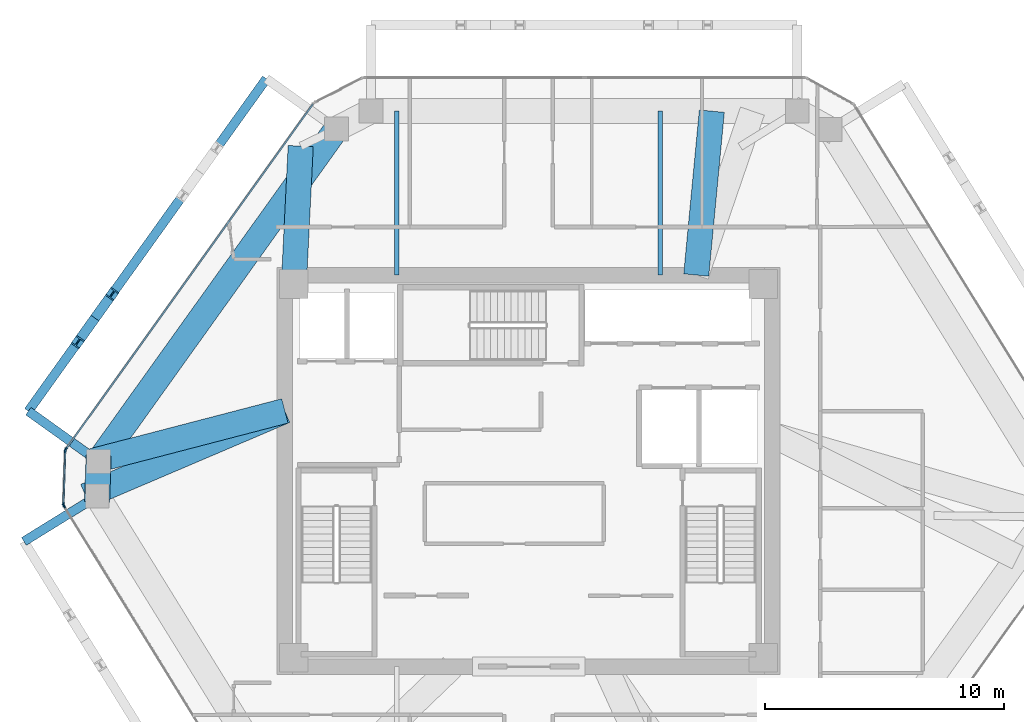
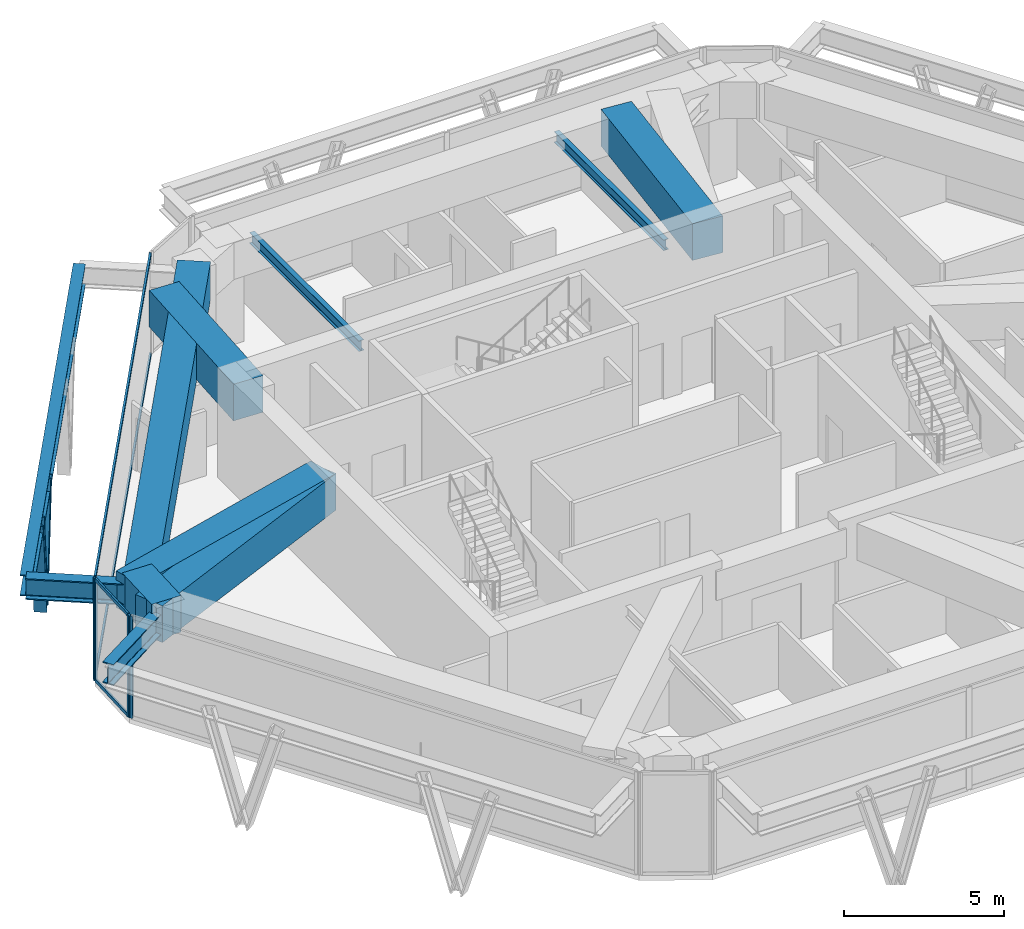
# One storey, part 4 of 11: 11 beams, 10 members, 3 elements without a shape of their own.
"""IFC4 building model written with IfcOpenShell, lengths in metres."""

from ifc_helpers import new_model, si_unit, direction, frame, origin, origin_2d, place, context, subcontext, project, spatial, rectangle, i_section, extrude, source, transform, mapped, material, layer, layer_set, material_profile, profile_set, type_object, type_shapes, element, aggregate, save


model = new_model("IFC4")

# Units and contexts
model_context = context("Model", 3, precision=1e-05, world=origin(), true_north=direction((0.0, 1.0)))
body_context = subcontext(model_context, "Body", "Model", "MODEL_VIEW")
ifc_project = project(units=[si_unit("LENGTHUNIT", "METRE"), si_unit("AREAUNIT", "SQUARE_METRE"), si_unit("VOLUMEUNIT", "CUBIC_METRE"), si_unit("PLANEANGLEUNIT", "RADIAN"), si_unit("MASSUNIT", "GRAM", prefix="KILO")], contexts=[model_context])

# Site, building, storey
site_placement = place(None, origin())
site = spatial("IfcSite", under=ifc_project, at=site_placement, CompositionType="ELEMENT")
building_placement = place(site_placement, origin())
building = spatial("IfcBuilding", under=site, at=building_placement, Name="Durnholm Broadcast Tower", CompositionType="ELEMENT")
storey_placement = place(building_placement, frame((0.0, 0.0, 209.199951171875)))
storey = spatial("IfcBuildingStorey", under=building, at=storey_placement, Name="L58", CompositionType="ELEMENT", Elevation=209.199951171875)

# Beams
ifc_material_1 = material(Name="Steel ASTM A992 Grade 50", Category="steel")
ifc_material_profile_1 = material_profile(ifc_material_1, i_section(OverallWidth=0.385009765625, OverallDepth=0.802978515625, WebThickness=0.023681640625, FlangeThickness=0.0419921875, FilletRadius=0.032958984375, at=origin_2d()), Name="W30X261")
ifc_profile_set_1 = profile_set([ifc_material_profile_1], Name="Steel ASTM A992 Grade 50")
beam_type_1 = type_object("IfcBeamType", Name="BM-EXO-TIE", PredefinedType="USERDEFINED", material=ifc_profile_set_1)
shared_shape_1 = source(origin(), body_context, "Body", "SweptSolid", [
    extrude(i_section(OverallWidth=0.385009765625, OverallDepth=0.802978515625, WebThickness=0.023681640625, FlangeThickness=0.0419921875, FilletRadius=0.032958984375, at=origin_2d()), origin(), (0.0, 0.0, 1.0), 3.4560546875),
])
beam_1_placement = place(storey_placement, frame((-18.131591796875, -1.13232421875, 3.1484375), z_axis=(-0.850662348375, -0.525712439512, 0.0), x_axis=(0.525712439512, -0.850662348375, 0.0)))
element("IfcBeam", 1, at=beam_1_placement, inside=storey, type_object=beam_type_1, Name="L58 exoskeleton stand-off tie bracket F6.1", ObjectType="GIRDER", PredefinedType="USERDEFINED", context=body_context, shape_type="MappedRepresentation", body=[
    mapped(shared_shape_1, transform((0.0, 0.0, 0.0), x_axis=(1.0, 0.0, 0.0), y_axis=(0.0, 1.0, 0.0), z_axis=(0.0, 0.0, 1.0), scale=1.0)),
])
shared_shape_2 = source(origin(), body_context, "Body", "SweptSolid", [
    extrude(i_section(OverallWidth=0.385009765625, OverallDepth=0.802978515625, WebThickness=0.023681640625, FlangeThickness=0.0419921875, FilletRadius=0.032958984375, at=origin_2d()), origin(), (0.0, 0.0, 1.0), 3.455810546875),
])
beam_2_placement = place(storey_placement, frame((-18.076904296875, 0.4794921875, 3.1484375), z_axis=(-0.813112485828, 0.582106592808, 0.0), x_axis=(-0.582106592808, -0.813112485828, 0.0)))
element("IfcBeam", 2, at=beam_2_placement, inside=storey, type_object=beam_type_1, Name="L58 exoskeleton stand-off tie bracket F5.2", ObjectType="GIRDER", PredefinedType="USERDEFINED", context=body_context, shape_type="MappedRepresentation", body=[
    mapped(shared_shape_2, transform((0.0, 0.0, 0.0), x_axis=(1.0, 0.0, 0.0), y_axis=(0.0, 1.0, 0.0), z_axis=(0.0, 0.0, 1.0), scale=1.0)),
])
shared_shape_3 = source(origin(), body_context, "Body", "SweptSolid", [
    extrude(i_section(OverallWidth=0.385009765625, OverallDepth=0.802978515625, WebThickness=0.023681640625, FlangeThickness=0.0419921875, FilletRadius=0.032958984375, at=origin_2d()), origin(), (0.0, 0.0, 1.0), 17.07177734375),
])
type_shapes(beam_type_1, [shared_shape_1, shared_shape_2, shared_shape_3])
beam_3_placement = place(storey_placement, frame((-10.948974609375, 16.3720703125, 3.1484375), z_axis=(-0.582133388739, -0.813093301974, 0.0), x_axis=(0.813093301974, -0.582133388739, 0.0)))
element("IfcBeam", 3, at=beam_3_placement, inside=storey, type_object=beam_type_1, Name="L58 exoskeleton collector spandrel F5", PredefinedType="SPANDREL", context=body_context, shape_type="MappedRepresentation", body=[
    mapped(shared_shape_3, transform((0.0, 0.0, 0.0), x_axis=(1.0, 0.0, 0.0), y_axis=(0.0, 1.0, 0.0), z_axis=(0.0, 0.0, 1.0), scale=1.0)),
])
ifc_material_profile_2 = material_profile(ifc_material_1, i_section(OverallWidth=0.177734375, OverallDepth=0.40673828125, WebThickness=0.0078125, FlangeThickness=0.0126953125, FilletRadius=0.01904296875, at=origin_2d()), Name="W16X40")
ifc_profile_set_2 = profile_set([ifc_material_profile_2], Name="Steel ASTM A992 Grade 50")
beam_type_2 = type_object("IfcBeamType", Name="STL-BJ-W16X40", PredefinedType="JOIST", material=ifc_profile_set_2)
shared_shape_4 = source(origin(), body_context, "Body", "SweptSolid", [
    extrude(i_section(OverallWidth=0.177734375, OverallDepth=0.40673828125, WebThickness=0.0078125, FlangeThickness=0.0126953125, FilletRadius=0.01904296875, at=origin_2d()), origin(), (0.0, 0.0, 1.0), 6.843017578125),
])
type_shapes(beam_type_2, [shared_shape_4])
for number, where, z_axis, x_axis, name in (
    (4, (-5.5, 8.175048828125, 3.4765625), (0.0, 1.0, 0.0), (-1.0, 0.0, 0.0), "L58 secondary floor joist 3.2"),
    (5, (5.5, 8.175048828125, 3.4765625), (0.0, 1.0, 0.0), (-1.0, 0.0, 0.0), "L58 secondary floor joist 4.2"),
):
    element("IfcBeam", number, at=place(storey_placement, frame(where, z_axis=z_axis, x_axis=x_axis)), inside=storey, type_object=beam_type_2, Name=name, PredefinedType="JOIST", context=body_context, shape_type="MappedRepresentation", body=[
        mapped(shared_shape_4, transform((0.0, 0.0, 0.0), x_axis=(1.0, 0.0, 0.0), y_axis=(0.0, 1.0, 0.0), z_axis=(0.0, 0.0, 1.0), scale=1.0)),
    ])
ifc_material_2 = material(Name="Concrete C70/85", Category="concrete")
ifc_material_profile_3 = material_profile(ifc_material_2, rectangle(XDim=1.050048828125, YDim=1.39990234375, at=origin_2d()), Name="RC1050X1400")
ifc_profile_set_3 = profile_set([ifc_material_profile_3], Name="Concrete C70/85")
beam_type_3 = type_object("IfcBeamType", Name="BM-TG-RC1400", PredefinedType="USERDEFINED", material=ifc_profile_set_3)
shared_shape_5 = source(origin(), body_context, "Body", "SweptSolid", [
    extrude(rectangle(XDim=1.050048828125, YDim=1.39990234375, at=origin_2d()), origin(), (0.0, 0.0, 1.0), 1.953369140625),
])
beam_4_placement = place(storey_placement, frame((-18.017578125, -1.306640625, 3.199951171875), z_axis=(0.033872497497, 0.999426162312, 0.0), x_axis=(-0.999426162312, 0.033872497497, 0.0)))
element("IfcBeam", 6, at=beam_4_placement, inside=storey, type_object=beam_type_3, Name="L58 perimeter transfer spandrel girder 02", PredefinedType="SPANDREL", context=body_context, shape_type="MappedRepresentation", body=[
    mapped(shared_shape_5, transform((0.0, 0.0, 0.0), x_axis=(1.0, 0.0, 0.0), y_axis=(0.0, 1.0, 0.0), z_axis=(0.0, 0.0, 1.0), scale=1.0)),
])
shared_shape_6 = source(origin(), body_context, "Body", "SweptSolid", [
    extrude(rectangle(XDim=1.050048828125, YDim=1.39990234375, at=origin_2d()), origin(), (0.0, 0.0, 1.0), 17.07177734375),
])
beam_5_placement = place(storey_placement, frame((-17.9599609375, 0.3955078125, 3.199951171875), z_axis=(0.582142843258, 0.813086532937, 0.0), x_axis=(-0.813086532937, 0.582142843258, 0.0)))
element("IfcBeam", 7, at=beam_5_placement, inside=storey, type_object=beam_type_3, Name="L58 perimeter transfer spandrel girder 03", PredefinedType="SPANDREL", context=body_context, shape_type="MappedRepresentation", body=[
    mapped(shared_shape_6, transform((0.0, 0.0, 0.0), x_axis=(1.0, 0.0, 0.0), y_axis=(0.0, 1.0, 0.0), z_axis=(0.0, 0.0, 1.0), scale=1.0)),
])
shared_shape_7 = source(origin(), body_context, "Body", "SweptSolid", [
    extrude(rectangle(XDim=1.050048828125, YDim=1.39990234375, at=origin_2d()), origin(), (0.0, 0.0, 1.0), 9.044189453125),
])
beam_6_placement = place(storey_placement, frame((-10.175048828125, 2.5, 3.199951171875), z_axis=(-0.919847268829, -0.392276690651, 0.0), x_axis=(0.392276690651, -0.919847268829, 0.0)))
element("IfcBeam", 8, at=beam_6_placement, inside=storey, type_object=beam_type_3, Name="L58 radial setback transfer girder 02", ObjectType="GIRDER", PredefinedType="USERDEFINED", context=body_context, shape_type="MappedRepresentation", body=[
    mapped(shared_shape_7, transform((0.0, 0.0, 0.0), x_axis=(1.0, 0.0, 0.0), y_axis=(0.0, 1.0, 0.0), z_axis=(0.0, 0.0, 1.0), scale=1.0)),
])
shared_shape_8 = source(origin(), body_context, "Body", "SweptSolid", [
    extrude(rectangle(XDim=1.050048828125, YDim=1.39990234375, at=origin_2d()), origin(), (0.0, 0.0, 1.0), 8.547119140625),
])
beam_7_placement = place(storey_placement, frame((-10.175048828125, 2.5, 3.199951171875), z_axis=(-0.967721839871, -0.252020714696, 0.0), x_axis=(0.252020714696, -0.967721839871, 0.0)))
element("IfcBeam", 9, at=beam_7_placement, inside=storey, type_object=beam_type_3, Name="L58 radial setback transfer girder 03", ObjectType="GIRDER", PredefinedType="USERDEFINED", context=body_context, shape_type="MappedRepresentation", body=[
    mapped(shared_shape_8, transform((0.0, 0.0, 0.0), x_axis=(1.0, 0.0, 0.0), y_axis=(0.0, 1.0, 0.0), z_axis=(0.0, 0.0, 1.0), scale=1.0)),
])
shared_shape_9 = source(origin(), body_context, "Body", "SweptSolid", [
    extrude(rectangle(XDim=1.050048828125, YDim=1.39990234375, at=origin_2d()), origin(), (0.0, 0.0, 1.0), 5.764404296875),
])
beam_8_placement = place(storey_placement, frame((-9.800048828125, 7.800048828125, 3.199951171875), z_axis=(0.049468662109, 0.99877567625, 0.0), x_axis=(-0.99877567625, 0.049468662109, 0.0)))
element("IfcBeam", 10, at=beam_8_placement, inside=storey, type_object=beam_type_3, Name="L58 radial setback transfer girder 04", ObjectType="GIRDER", PredefinedType="USERDEFINED", context=body_context, shape_type="MappedRepresentation", body=[
    mapped(shared_shape_9, transform((0.0, 0.0, 0.0), x_axis=(1.0, 0.0, 0.0), y_axis=(0.0, 1.0, 0.0), z_axis=(0.0, 0.0, 1.0), scale=1.0)),
])
shared_shape_10 = source(origin(), body_context, "Body", "SweptSolid", [
    extrude(rectangle(XDim=1.050048828125, YDim=1.39990234375, at=origin_2d()), origin(), (0.0, 0.0, 1.0), 6.8740234375),
])
type_shapes(beam_type_3, [shared_shape_5, shared_shape_6, shared_shape_7, shared_shape_8, shared_shape_9, shared_shape_10])
beam_9_placement = place(storey_placement, frame((7.0, 8.175048828125, 3.199951171875), z_axis=(0.094794008006, 0.995496909109, 0.0), x_axis=(-0.995496909109, 0.094794008006, 0.0)))
element("IfcBeam", 11, at=beam_9_placement, inside=storey, type_object=beam_type_3, Name="L58 radial setback transfer girder 06", ObjectType="GIRDER", PredefinedType="USERDEFINED", context=body_context, shape_type="MappedRepresentation", body=[
    mapped(shared_shape_10, transform((0.0, 0.0, 0.0), x_axis=(1.0, 0.0, 0.0), y_axis=(0.0, 1.0, 0.0), z_axis=(0.0, 0.0, 1.0), scale=1.0)),
])

# Members
ifc_material_3 = material(Name="Steel ASTM A913 Grade 65", Category="steel")
ifc_material_profile_4 = material_profile(ifc_material_3, i_section(OverallWidth=0.412109375, OverallDepth=0.434814453125, WebThickness=0.035888671875, FlangeThickness=0.057373046875, FilletRadius=0.030517578125, at=origin_2d()), Name="W14X311")
ifc_profile_set_4 = profile_set([ifc_material_profile_4], Name="Steel ASTM A913 Grade 65")
member_type_1 = type_object("IfcMemberType", Name="STL-DG-W14X311", PredefinedType="BRACE", material=ifc_profile_set_4)
shared_shape_11 = source(origin(), body_context, "Body", "SweptSolid", [
    extrude(i_section(OverallWidth=0.412109375, OverallDepth=0.434814453125, WebThickness=0.035888671875, FlangeThickness=0.057373046875, FilletRadius=0.030517578125, at=origin_2d()), origin(), (0.0, 0.0, 1.0), 4.31982421875),
])
type_shapes(member_type_1, [shared_shape_11])
for number, where, z_axis, x_axis, name in (
    (12, (-18.1044921875, 6.3779296875, -0.991455078125), (0.166270665174, 0.232225072468, 0.958345230916), (-0.813077820009, 0.582155012526, 0.0), "L58 stand-off diagrid brace F5.D2.1"),
    (13, (-18.1044921875, 6.3779296875, -0.991455078125), (-0.166215710641, -0.232227254343, 0.95835423507), (0.813171482985, -0.58202417412, 0.0), "L58 stand-off diagrid brace F5.D2.2"),
):
    element("IfcMember", number, at=place(storey_placement, frame(where, z_axis=z_axis, x_axis=x_axis)), inside=storey, type_object=member_type_1, Name=name, PredefinedType="BRACE", context=body_context, shape_type="MappedRepresentation", body=[
        mapped(shared_shape_11, transform((0.0, 0.0, 0.0), x_axis=(1.0, 0.0, 0.0), y_axis=(0.0, 1.0, 0.0), z_axis=(0.0, 0.0, 1.0), scale=1.0)),
    ])

# Curtain wall, members
ifc_material_4 = material(Name="Aluminium and Solar Control IGU", Category="aluminium")
ifc_layer_1 = layer(ifc_material_4, 0.1650390625)
ifc_layer_set_1 = layer_set([ifc_layer_1], Name="Aluminium and Solar Control IGU")
curtain_wall_type_1 = type_object("IfcCurtainWallType", Name="CW-SYS-5", PredefinedType="NOTDEFINED", material=ifc_layer_set_1)
curtain_wall_1_placement = place(storey_placement, origin())
curtain_wall_1 = element("IfcCurtainWall", 14, at=curtain_wall_1_placement, inside=storey, type_object=curtain_wall_type_1, Name="L58 curtain wall CW-CORNER CW-L58-CRN-01", PredefinedType="NOTDEFINED")
ifc_material_5 = material(Name="Aluminium 6063-T6", Category="aluminium")
ifc_material_profile_5 = material_profile(ifc_material_5, rectangle(XDim=0.06494140625, YDim=0.1298828125, at=origin_2d()), Name="CWT65X130")
ifc_profile_set_5 = profile_set([ifc_material_profile_5], Name="Aluminium 6063-T6")
member_type_2 = type_object("IfcMemberType", Name="CW-SYS-5-TRN", PredefinedType="USERDEFINED", material=ifc_profile_set_5)
shared_shape_12 = source(origin(), body_context, "Body", "SweptSolid", [
    extrude(rectangle(XDim=0.06494140625, YDim=0.1298828125, at=origin_2d()), origin(), (0.0, 0.0, 1.0), 2.169921875),
])
type_shapes(member_type_2, [shared_shape_12])
member_1_placement = place(storey_placement, frame((-19.42041015625, -1.367431640625, 0.032470703125), z_axis=(0.033865512339, 0.999426399028, 0.0), x_axis=(-0.999426399028, 0.033865512339, 0.0)))
member_1 = element("IfcMember", 15, at=member_1_placement, type_object=member_type_2, Name="CW-CORNER transom 1.1", ObjectType="TRANSOM", PredefinedType="USERDEFINED", context=body_context, shape_type="MappedRepresentation", body=[
    mapped(shared_shape_12, transform((0.0, 0.0, 0.0), x_axis=(1.0, 0.0, 0.0), y_axis=(0.0, 1.0, 0.0), z_axis=(0.0, 0.0, 1.0), scale=1.0)),
])
member_2_placement = place(storey_placement, frame((-19.42041015625, -1.367431640625, 3.867431640625), z_axis=(0.033865512339, 0.999426399028, 0.0), x_axis=(-0.999426399028, 0.033865512339, 0.0)))
member_2 = element("IfcMember", 16, at=member_2_placement, type_object=member_type_2, Name="CW-CORNER transom 1.2", ObjectType="TRANSOM", PredefinedType="USERDEFINED", context=body_context, shape_type="MappedRepresentation", body=[
    mapped(shared_shape_12, transform((0.0, 0.0, 0.0), x_axis=(1.0, 0.0, 0.0), y_axis=(0.0, 1.0, 0.0), z_axis=(0.0, 0.0, 1.0), scale=1.0)),
])

ifc_layer_2 = layer(ifc_material_4, 0.18994140625)
ifc_layer_set_2 = layer_set([ifc_layer_2], Name="Aluminium and Solar Control IGU")
curtain_wall_type_2 = type_object("IfcCurtainWallType", Name="CW-SYS-4", PredefinedType="NOTDEFINED", material=ifc_layer_set_2)
curtain_wall_2_placement = place(storey_placement, origin())
curtain_wall_2 = element("IfcCurtainWall", 17, at=curtain_wall_2_placement, inside=storey, type_object=curtain_wall_type_2, Name="L58 curtain wall CW-Z34-VIS CW-L58-F02", PredefinedType="NOTDEFINED")
ifc_material_profile_6 = material_profile(ifc_material_5, rectangle(XDim=0.070068359375, YDim=0.14990234375, at=origin_2d()), Name="CWT70X150")
ifc_profile_set_6 = profile_set([ifc_material_profile_6], Name="Aluminium 6063-T6")
member_type_3 = type_object("IfcMemberType", Name="CW-SYS-4-TRN", PredefinedType="USERDEFINED", material=ifc_profile_set_6)
shared_shape_13 = source(origin(), body_context, "Body", "SweptSolid", [
    extrude(rectangle(XDim=0.070068359375, YDim=0.14990234375, at=origin_2d()), origin(), (0.0, 0.0, 1.0), 17.69384765625),
])
type_shapes(member_type_3, [shared_shape_13])
member_3_placement = place(storey_placement, frame((-19.303955078125, 0.923095703125, 0.03515625), z_axis=(0.582138438195, 0.813089686797, 0.0), x_axis=(-0.813089686797, 0.582138438195, 0.0)))
member_3 = element("IfcMember", 18, at=member_3_placement, type_object=member_type_3, Name="CW-Z34-VIS transom 1.1", ObjectType="TRANSOM", PredefinedType="USERDEFINED", context=body_context, shape_type="MappedRepresentation", body=[
    mapped(shared_shape_13, transform((0.0, 0.0, 0.0), x_axis=(1.0, 0.0, 0.0), y_axis=(0.0, 1.0, 0.0), z_axis=(0.0, 0.0, 1.0), scale=1.0)),
])
member_4_placement = place(storey_placement, frame((-19.303955078125, 0.923095703125, 3.864990234375), z_axis=(0.582138438195, 0.813089686797, 0.0), x_axis=(-0.813089686797, 0.582138438195, 0.0)))
member_4 = element("IfcMember", 19, at=member_4_placement, type_object=member_type_3, Name="CW-Z34-VIS transom 1.2", ObjectType="TRANSOM", PredefinedType="USERDEFINED", context=body_context, shape_type="MappedRepresentation", body=[
    mapped(shared_shape_13, transform((0.0, 0.0, 0.0), x_axis=(1.0, 0.0, 0.0), y_axis=(0.0, 1.0, 0.0), z_axis=(0.0, 0.0, 1.0), scale=1.0)),
])

# Member
ifc_material_profile_7 = material_profile(ifc_material_5, rectangle(XDim=0.06494140625, YDim=0.1650390625, at=origin_2d()), Name="CWM65X165")
ifc_profile_set_7 = profile_set([ifc_material_profile_7], Name="Aluminium 6063-T6")
member_type_4 = type_object("IfcMemberType", Name="CW-SYS-5-MUL", PredefinedType="MULLION", material=ifc_profile_set_7)
shared_shape_14 = source(origin(), body_context, "Body", "SweptSolid", [
    extrude(rectangle(XDim=0.06494140625, YDim=0.1650390625, at=origin_2d()), origin(), (0.0, 0.0, 1.0), 3.900146484375),
])
type_shapes(member_type_4, [shared_shape_14])
member_5_placement = place(storey_placement, frame((-19.421630859375, -1.39990234375, 0.0), z_axis=(0.0, 0.0, 1.0), x_axis=(-0.999424798802, 0.033912704699, 0.0)))
member_5 = element("IfcMember", 20, at=member_5_placement, type_object=member_type_4, Name="CW-CORNER mullion 1", PredefinedType="MULLION", context=body_context, shape_type="MappedRepresentation", body=[
    mapped(shared_shape_14, transform((0.0, 0.0, 0.0), x_axis=(1.0, 0.0, 0.0), y_axis=(0.0, 1.0, 0.0), z_axis=(0.0, 0.0, 1.0), scale=1.0)),
])

member_6_placement = place(storey_placement, frame((-19.345703125, 0.833740234375, 0.0), z_axis=(0.0, 0.0, 1.0), x_axis=(-0.999424798802, 0.033912704699, 0.0)))
member_6 = element("IfcMember", 21, at=member_6_placement, type_object=member_type_4, Name="CW-CORNER mullion 2", PredefinedType="MULLION", context=body_context, shape_type="MappedRepresentation", body=[
    mapped(shared_shape_14, transform((0.0, 0.0, 0.0), x_axis=(1.0, 0.0, 0.0), y_axis=(0.0, 1.0, 0.0), z_axis=(0.0, 0.0, 1.0), scale=1.0)),
])

aggregate(curtain_wall_1, [member_5, member_6, member_1, member_2])

ifc_material_profile_8 = material_profile(ifc_material_5, rectangle(XDim=0.070068359375, YDim=0.18994140625, at=origin_2d()), Name="CWM70X190")
ifc_profile_set_8 = profile_set([ifc_material_profile_8], Name="Aluminium 6063-T6")
member_type_5 = type_object("IfcMemberType", Name="CW-SYS-4-MUL", PredefinedType="MULLION", material=ifc_profile_set_8)
shared_shape_15 = source(origin(), body_context, "Body", "SweptSolid", [
    extrude(rectangle(XDim=0.070068359375, YDim=0.18994140625, at=origin_2d()), origin(), (0.0, 0.0, 1.0), 3.900146484375),
])
type_shapes(member_type_5, [shared_shape_15])
member_7_placement = place(storey_placement, frame((-19.32421875, 0.894775390625, 0.0), z_axis=(0.0, 0.0, 1.0), x_axis=(-0.813089262696, 0.582139030549, 0.0)))
member_7 = element("IfcMember", 22, at=member_7_placement, type_object=member_type_5, Name="CW-Z34-VIS mullion 1", PredefinedType="MULLION", context=body_context, shape_type="MappedRepresentation", body=[
    mapped(shared_shape_15, transform((0.0, 0.0, 0.0), x_axis=(1.0, 0.0, 0.0), y_axis=(0.0, 1.0, 0.0), z_axis=(0.0, 0.0, 1.0), scale=1.0)),
])

aggregate(curtain_wall_2, [member_7, member_3, member_4])

# Curtain wall, member
curtain_wall_3_placement = place(storey_placement, origin())
curtain_wall_3 = element("IfcCurtainWall", 23, at=curtain_wall_3_placement, inside=storey, type_object=curtain_wall_type_2, Name="L58 curtain wall CW-Z34-VIS CW-L58-F12", PredefinedType="NOTDEFINED")
member_8_placement = place(storey_placement, frame((-19.404296875, -1.462158203125, 0.0), z_axis=(0.0, 0.0, 1.0), x_axis=(-0.850671426092, -0.525697750452, 0.0)))
member_8 = element("IfcMember", 24, at=member_8_placement, type_object=member_type_5, Name="CW-Z34-VIS mullion 2", PredefinedType="MULLION", context=body_context, shape_type="MappedRepresentation", body=[
    mapped(shared_shape_15, transform((0.0, 0.0, 0.0), x_axis=(1.0, 0.0, 0.0), y_axis=(0.0, 1.0, 0.0), z_axis=(0.0, 0.0, 1.0), scale=1.0)),
])
aggregate(curtain_wall_3, [member_8])

save(model, "model.ifc")
